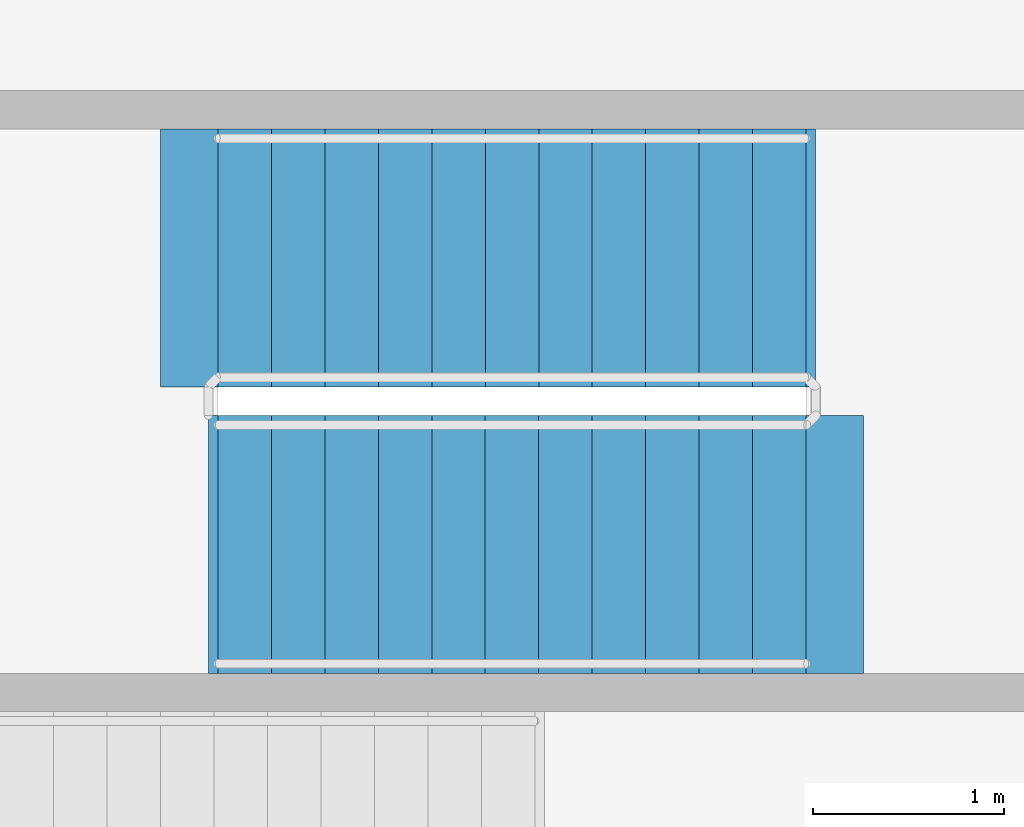
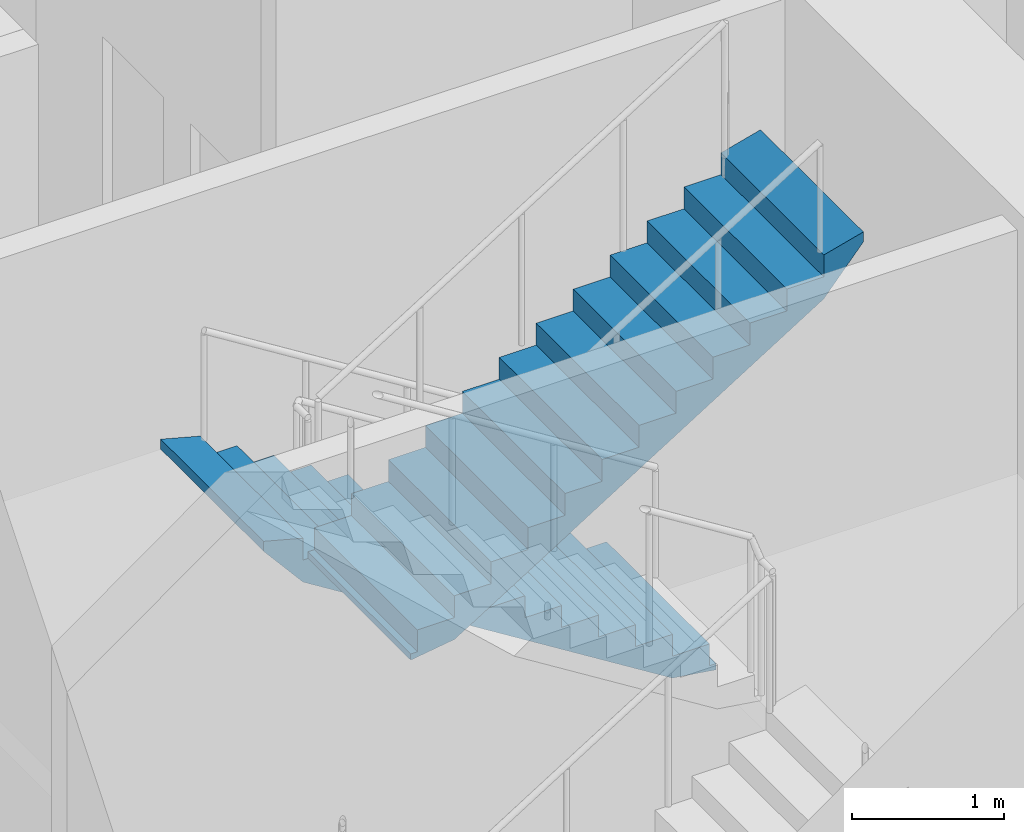
# One storey, part 19 of 23: 2 stair flights, 1 element without a shape of its own.
"""IFC4 building model written with IfcOpenShell, lengths in metres."""

from ifc_helpers import new_model, si_unit, direction, frame, origin, place, context, subcontext, project, spatial, polyline, outline, extrude, material, type_object, element, aggregate, save


model = new_model("IFC4")

# Units and contexts
model_context = context("Model", 3, precision=1e-05, world=origin(), true_north=direction((0.0, 1.0)))
body_context = subcontext(model_context, "Body", "Model", "MODEL_VIEW")
ifc_project = project(units=[si_unit("LENGTHUNIT", "METRE"), si_unit("AREAUNIT", "SQUARE_METRE"), si_unit("VOLUMEUNIT", "CUBIC_METRE"), si_unit("PLANEANGLEUNIT", "RADIAN"), si_unit("MASSUNIT", "GRAM", prefix="KILO")], contexts=[model_context])

# Site, building, storey
site_placement = place(None, origin())
site = spatial("IfcSite", under=ifc_project, at=site_placement, CompositionType="ELEMENT")
building_placement = place(site_placement, origin())
building = spatial("IfcBuilding", under=site, at=building_placement, Name="Zarbagh Exchange Tower", CompositionType="ELEMENT")
storey_placement = place(building_placement, frame((0.0, 0.0, 48.0)))
storey = spatial("IfcBuildingStorey", under=building, at=storey_placement, Name="L10", CompositionType="ELEMENT", Elevation=48.0)

# Stair, stair flights
ifc_material = material(Name="Concrete C40/50", Category="concrete")
stair_type = type_object("IfcStairType", Name="Exit stair two-flight half-turn", PredefinedType="HALF_TURN_STAIR", material=ifc_material)
stair_placement = place(storey_placement, origin())
stair = element("IfcStair", 1, at=stair_placement, inside=storey, type_object=stair_type, Name="exit stair ST1", PredefinedType="HALF_TURN_STAIR")
stair_flight_type = type_object("IfcStairFlightType", Name="Stair flight 1350 mm", PredefinedType="STRAIGHT", material=ifc_material)
stair_flight_1_placement = place(storey_placement, frame((2.25, 17.375, 0.0), z_axis=(0.0, 0.0, 1.0), x_axis=(-1.0, 0.0, 0.0)))
stair_flight_1 = element("IfcStairFlight", 2, at=stair_flight_1_placement, type_object=stair_flight_type, Name="ST1 flight 1", NumberOfRisers=12, NumberOfTreads=11, PredefinedType="STRAIGHT", RiserHeight=0.175, TreadLength=0.28, context=body_context, shape_type="SweptSolid", body=[
    extrude(outline(polyline([(-0.050048828125, -0.050048828125), (-0.050048828125, 0.0), (0.0, 0.0), (0.0, 0.175048828125), (0.280029296875, 0.175048828125), (0.280029296875, 0.35009765625), (0.56005859375, 0.35009765625), (0.56005859375, 0.52490234375), (0.840087890625, 0.52490234375), (0.840087890625, 0.699951171875), (1.1201171875, 0.699951171875), (1.1201171875, 0.875), (1.39990234375, 0.875), (1.39990234375, 1.050048828125), (1.679931640625, 1.050048828125), (1.679931640625, 1.22509765625), (1.9599609375, 1.22509765625), (1.9599609375, 1.39990234375), (2.239990234375, 1.39990234375), (2.239990234375, 1.574951171875), (2.52001953125, 1.574951171875), (2.52001953125, 1.75), (2.800048828125, 1.75), (2.800048828125, 1.925048828125), (3.080078125, 1.925048828125), (3.080078125, 2.10009765625), (3.3798828125, 2.179931640625), (3.3798828125, 2.10009765625), (3.080078125, 1.748291015625), (0.28271484375, 0.0), (-0.050048828125, -0.050048828125)])), frame((0.0, 0.675048828125, 0.0), z_axis=(0.0, -1.0, 0.0), x_axis=(1.0, 0.0, 0.0)), (0.0, 0.0, 1.0), 1.35009765625),
])
stair_flight_2_placement = place(storey_placement, frame((-0.830078125, 15.875, 2.10009765625), z_axis=(0.0, 0.0, 1.0), x_axis=(1.0, 0.0, 0.0)))
stair_flight_2 = element("IfcStairFlight", 3, at=stair_flight_2_placement, type_object=stair_flight_type, Name="ST1 flight 2", NumberOfRisers=12, NumberOfTreads=11, PredefinedType="STRAIGHT", RiserHeight=0.175, TreadLength=0.28, context=body_context, shape_type="SweptSolid", body=[
    extrude(outline(polyline([(-0.050048828125, -0.050048828125), (-0.050048828125, 0.0), (0.0, 0.0), (0.0, 0.175048828125), (0.280029296875, 0.175048828125), (0.280029296875, 0.35009765625), (0.56005859375, 0.35009765625), (0.56005859375, 0.52490234375), (0.840087890625, 0.52490234375), (0.840087890625, 0.699951171875), (1.1201171875, 0.699951171875), (1.1201171875, 0.875), (1.39990234375, 0.875), (1.39990234375, 1.050048828125), (1.679931640625, 1.050048828125), (1.679931640625, 1.22509765625), (1.9599609375, 1.22509765625), (1.9599609375, 1.39990234375), (2.239990234375, 1.39990234375), (2.239990234375, 1.574951171875), (2.52001953125, 1.574951171875), (2.52001953125, 1.75), (2.800048828125, 1.75), (2.800048828125, 1.925048828125), (3.080078125, 1.925048828125), (3.080078125, 2.10009765625), (3.3798828125, 2.179931640625), (3.3798828125, 2.10009765625), (3.080078125, 1.748291015625), (0.28271484375, 0.0), (-0.050048828125, -0.050048828125)])), frame((0.0, 0.675048828125, 0.0), z_axis=(0.0, -1.0, 0.0), x_axis=(1.0, 0.0, 0.0)), (0.0, 0.0, 1.0), 1.35009765625),
])
aggregate(stair, [stair_flight_1, stair_flight_2])

save(model, "model.ifc")
